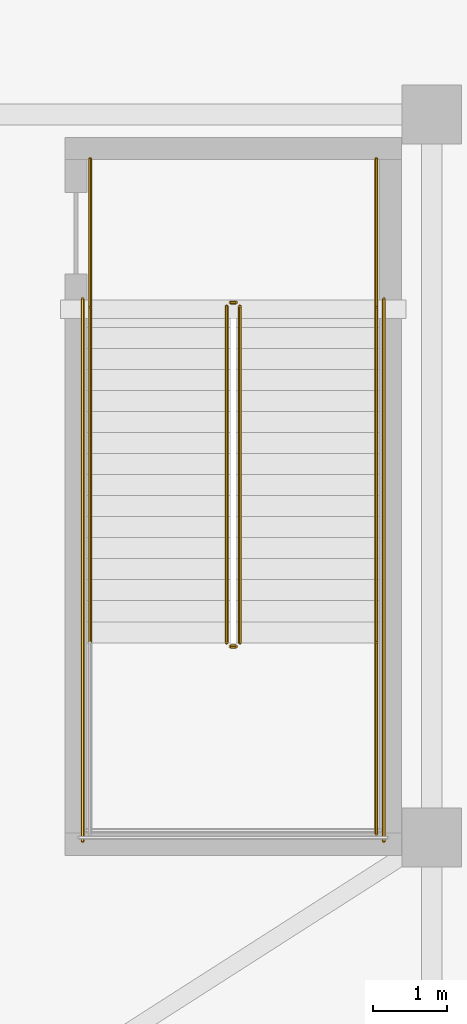
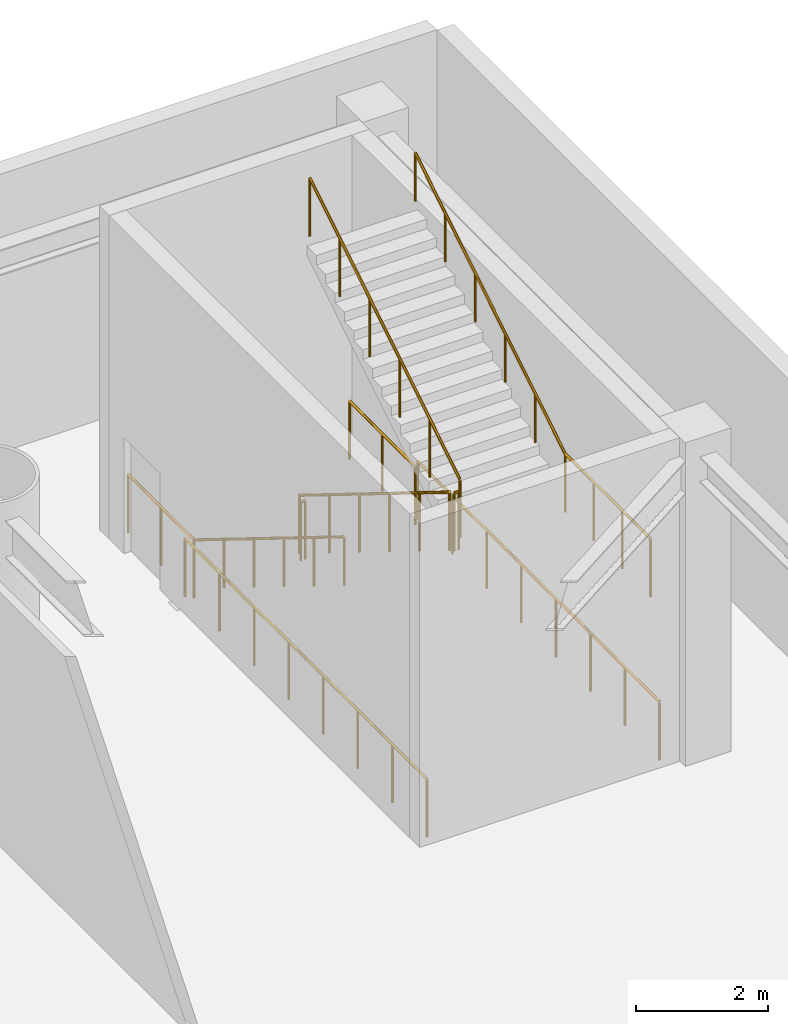
# One storey, part 17 of 17: 11 railings.
"""IFC4 building model written with IfcOpenShell, lengths in metres."""

from ifc_helpers import new_model, si_unit, direction, frame, origin, origin_2d, place, context, subcontext, project, spatial, circle, extrude, material, type_object, element, save


model = new_model("IFC4")

# Units and contexts
model_context = context("Model", 3, precision=1e-05, world=origin(), true_north=direction((0.0, 1.0)))
body_context = subcontext(model_context, "Body", "Model", "MODEL_VIEW")
ifc_project = project(units=[si_unit("LENGTHUNIT", "METRE"), si_unit("AREAUNIT", "SQUARE_METRE"), si_unit("VOLUMEUNIT", "CUBIC_METRE"), si_unit("PLANEANGLEUNIT", "RADIAN"), si_unit("MASSUNIT", "GRAM", prefix="KILO")], contexts=[model_context])

# Site, building, storey
site_placement = place(None, origin())
site = spatial("IfcSite", under=ifc_project, at=site_placement, CompositionType="ELEMENT")
building_placement = place(site_placement, origin())
building = spatial("IfcBuilding", under=site, at=building_placement, Name="Bramvorn Convention Spire", CompositionType="ELEMENT")
storey_placement = place(building_placement, frame((0.0, 0.0, 24.0)))
storey = spatial("IfcBuildingStorey", under=building, at=storey_placement, Name="L04", CompositionType="ELEMENT", Elevation=24.0)

# Railings
ifc_material_1 = material(Name="Painted Steel Balustrade & Guardrail", Category="steel")
railing_type_1 = type_object("IfcRailingType", Name="RL-STAIR-GUARD-1100", PredefinedType="GUARDRAIL", material=ifc_material_1)
railing_1_placement = place(storey_placement, frame((70.419921875, 46.800048828125, 0.176513671875)))
element("IfcRailing", 1, at=railing_1_placement, inside=storey, type_object=railing_type_1, Name="L04 ST5 stair guard 1", PredefinedType="GUARDRAIL", context=body_context, shape_type="SweptSolid", body=[
    extrude(circle(Radius=0.02392578125, at=origin_2d()), frame((0.0, 0.0, 1.076171875), z_axis=(0.0, -0.850215668316, 0.526434532824), x_axis=(1.0, 0.0, 0.0)), (0.0, 0.0, 1.0), 5.363525390625),
    extrude(circle(Radius=0.02099609375, at=origin_2d()), origin(), (0.0, 0.0, 1.0), 1.052001953125),
    extrude(circle(Radius=0.02099609375, at=origin_2d()), frame((0.0, -0.912109375, 0.564697265625)), (0.0, 0.0, 1.0), 1.052001953125),
    extrude(circle(Radius=0.02099609375, at=origin_2d()), frame((0.0, -1.823974609375, 1.12939453125)), (0.0, 0.0, 1.0), 1.052001953125),
    extrude(circle(Radius=0.02099609375, at=origin_2d()), frame((0.0, -2.736083984375, 1.694091796875)), (0.0, 0.0, 1.0), 1.052001953125),
    extrude(circle(Radius=0.02099609375, at=origin_2d()), frame((0.0, -3.64794921875, 2.2587890625)), (0.0, 0.0, 1.0), 1.052001953125),
    extrude(circle(Radius=0.02099609375, at=origin_2d()), frame((0.0, -4.56005859375, 2.823486328125)), (0.0, 0.0, 1.0), 1.052001953125),
])
railing_2_placement = place(storey_placement, frame((70.469970703125, 42.18994140625, 3.0)))
element("IfcRailing", 2, at=railing_2_placement, inside=storey, type_object=railing_type_1, Name="L04 ST5 stair guard 2", PredefinedType="GUARDRAIL", context=body_context, shape_type="SweptSolid", body=[
    extrude(circle(Radius=0.02392578125, at=origin_2d()), frame((0.0, 0.0, 1.076171875), z_axis=(1.0, 0.0, 0.0), x_axis=(0.0, 1.0, 0.0)), (0.0, 0.0, 1.0), 0.080078125),
    extrude(circle(Radius=0.02099609375, at=origin_2d()), origin(), (0.0, 0.0, 1.0), 1.052001953125),
    extrude(circle(Radius=0.02099609375, at=origin_2d()), frame((0.080078125, 0.0, 0.0)), (0.0, 0.0, 1.0), 1.052001953125),
])
railing_3_placement = place(storey_placement, frame((72.449951171875, 42.239990234375, 3.0)))
element("IfcRailing", 3, at=railing_3_placement, inside=storey, type_object=railing_type_1, Name="L04 ST5 stair guard 4", PredefinedType="GUARDRAIL", context=body_context, shape_type="SweptSolid", body=[
    extrude(circle(Radius=0.02392578125, at=origin_2d()), frame((0.0, 0.0, 1.076171875), z_axis=(0.0, -1.0, 0.0), x_axis=(1.0, 0.0, 0.0)), (0.0, 0.0, 1.0), 2.590087890625),
    extrude(circle(Radius=0.02099609375, at=origin_2d()), origin(), (0.0, 0.0, 1.0), 1.052001953125),
    extrude(circle(Radius=0.02099609375, at=origin_2d()), frame((0.0, -0.86328125, 0.0)), (0.0, 0.0, 1.0), 1.052001953125),
    extrude(circle(Radius=0.02099609375, at=origin_2d()), frame((0.0, -1.726806640625, 0.0)), (0.0, 0.0, 1.0), 1.052001953125),
    extrude(circle(Radius=0.02099609375, at=origin_2d()), frame((0.0, -2.590087890625, 0.0)), (0.0, 0.0, 1.0), 1.052001953125),
])
railing_4_placement = place(storey_placement, frame((70.60009765625, 42.239990234375, 3.176513671875)))
element("IfcRailing", 4, at=railing_4_placement, inside=storey, type_object=railing_type_1, Name="L04 ST5 stair guard 6", PredefinedType="GUARDRAIL", context=body_context, shape_type="SweptSolid", body=[
    extrude(circle(Radius=0.02392578125, at=origin_2d()), frame((0.0, 0.0, 1.076171875), z_axis=(0.0, 0.850215668316, 0.526434532824), x_axis=(-1.0, 0.0, 0.0)), (0.0, 0.0, 1.0), 5.363525390625),
    extrude(circle(Radius=0.02099609375, at=origin_2d()), origin(), (0.0, 0.0, 1.0), 1.052001953125),
    extrude(circle(Radius=0.02099609375, at=origin_2d()), frame((0.0, 0.912109375, 0.564697265625)), (0.0, 0.0, 1.0), 1.052001953125),
    extrude(circle(Radius=0.02099609375, at=origin_2d()), frame((0.0, 1.823974609375, 1.12939453125)), (0.0, 0.0, 1.0), 1.052001953125),
    extrude(circle(Radius=0.02099609375, at=origin_2d()), frame((0.0, 2.736083984375, 1.694091796875)), (0.0, 0.0, 1.0), 1.052001953125),
    extrude(circle(Radius=0.02099609375, at=origin_2d()), frame((0.0, 3.64794921875, 2.2587890625)), (0.0, 0.0, 1.0), 1.052001953125),
    extrude(circle(Radius=0.02099609375, at=origin_2d()), frame((0.0, 4.56005859375, 2.823486328125)), (0.0, 0.0, 1.0), 1.052001953125),
])
railing_5_placement = place(storey_placement, frame((70.469970703125, 46.85009765625, 0.0)))
element("IfcRailing", 5, at=railing_5_placement, inside=storey, type_object=railing_type_1, Name="L04 ST5 stair guard 7", PredefinedType="GUARDRAIL", context=body_context, shape_type="SweptSolid", body=[
    extrude(circle(Radius=0.02392578125, at=origin_2d()), frame((0.0, 0.0, 1.076171875), z_axis=(1.0, 0.0, 0.0), x_axis=(0.0, 1.0, 0.0)), (0.0, 0.0, 1.0), 0.080078125),
    extrude(circle(Radius=0.02099609375, at=origin_2d()), origin(), (0.0, 0.0, 1.0), 1.052001953125),
    extrude(circle(Radius=0.02099609375, at=origin_2d()), frame((0.080078125, 0.0, 0.0)), (0.0, 0.0, 1.0), 1.052001953125),
])
for number, where, name in (
    (6, (68.570068359375, 48.800048828125, 0.0), "L04 ST5 stair guard 8"),
    (7, (72.449951171875, 48.800048828125, 0.0), "L04 ST5 stair guard 9"),
):
    element("IfcRailing", number, at=place(storey_placement, frame(where)), inside=storey, type_object=railing_type_1, Name=name, PredefinedType="GUARDRAIL", context=body_context, shape_type="SweptSolid", body=[
        extrude(circle(Radius=0.02392578125, at=origin_2d()), frame((0.0, 0.0, 1.076171875), z_axis=(0.0, -1.0, 0.0), x_axis=(1.0, 0.0, 0.0)), (0.0, 0.0, 1.0), 2.0),
        extrude(circle(Radius=0.02099609375, at=origin_2d()), origin(), (0.0, 0.0, 1.0), 1.052001953125),
        extrude(circle(Radius=0.02099609375, at=origin_2d()), frame((0.0, -1.0, 0.0)), (0.0, 0.0, 1.0), 1.052001953125),
        extrude(circle(Radius=0.02099609375, at=origin_2d()), frame((0.0, -2.0, 0.0)), (0.0, 0.0, 1.0), 1.052001953125),
    ])
for number, where, name in (
    (8, (68.469970703125, 46.89990234375, 0.0), "L04 ST5 stair guard 10"),
    (9, (72.550048828125, 46.89990234375, 0.0), "L04 ST5 stair guard 11"),
):
    element("IfcRailing", number, at=place(storey_placement, frame(where)), inside=storey, type_object=railing_type_1, Name=name, PredefinedType="GUARDRAIL", context=body_context, shape_type="SweptSolid", body=[
        extrude(circle(Radius=0.02392578125, at=origin_2d()), frame((0.0, 0.0, 1.076171875), z_axis=(0.0, -1.0, 0.0), x_axis=(1.0, 0.0, 0.0)), (0.0, 0.0, 1.0), 7.349853515625),
        extrude(circle(Radius=0.02099609375, at=origin_2d()), origin(), (0.0, 0.0, 1.0), 1.052001953125),
        extrude(circle(Radius=0.02099609375, at=origin_2d()), frame((0.0, -1.050048828125, 0.0)), (0.0, 0.0, 1.0), 1.052001953125),
        extrude(circle(Radius=0.02099609375, at=origin_2d()), frame((0.0, -2.099853515625, 0.0)), (0.0, 0.0, 1.0), 1.052001953125),
        extrude(circle(Radius=0.02099609375, at=origin_2d()), frame((0.0, -3.14990234375, 0.0)), (0.0, 0.0, 1.0), 1.052001953125),
        extrude(circle(Radius=0.02099609375, at=origin_2d()), frame((0.0, -4.199951171875, 0.0)), (0.0, 0.0, 1.0), 1.052001953125),
        extrude(circle(Radius=0.02099609375, at=origin_2d()), frame((0.0, -5.25, 0.0)), (0.0, 0.0, 1.0), 1.052001953125),
        extrude(circle(Radius=0.02099609375, at=origin_2d()), frame((0.0, -6.2998046875, 0.0)), (0.0, 0.0, 1.0), 1.052001953125),
        extrude(circle(Radius=0.02099609375, at=origin_2d()), frame((0.0, -7.349853515625, 0.0)), (0.0, 0.0, 1.0), 1.052001953125),
    ])
ifc_material_2 = material(Name="Brushed Bronze Tubular Handrail", Category="aluminium")
railing_type_2 = type_object("IfcRailingType", Name="RL-STAIR-HR-920", PredefinedType="HANDRAIL", material=ifc_material_2)
railing_6_placement = place(storey_placement, frame((68.570068359375, 46.800048828125, 0.176513671875)))
element("IfcRailing", 10, at=railing_6_placement, inside=storey, type_object=railing_type_2, Name="L04 ST5 stair handrail 1", PredefinedType="HANDRAIL", context=body_context, shape_type="SweptSolid", body=[
    extrude(circle(Radius=0.02392578125, at=origin_2d()), frame((0.0, 0.0, 0.89599609375), z_axis=(0.0, -0.850215668316, 0.526434532824), x_axis=(1.0, 0.0, 0.0)), (0.0, 0.0, 1.0), 5.363525390625),
    extrude(circle(Radius=0.02099609375, at=origin_2d()), origin(), (0.0, 0.0, 1.0), 0.871826171875),
    extrude(circle(Radius=0.02099609375, at=origin_2d()), frame((0.0, -0.912109375, 0.564697265625)), (0.0, 0.0, 1.0), 0.871826171875),
    extrude(circle(Radius=0.02099609375, at=origin_2d()), frame((0.0, -1.823974609375, 1.12939453125)), (0.0, 0.0, 1.0), 0.871826171875),
    extrude(circle(Radius=0.02099609375, at=origin_2d()), frame((0.0, -2.736083984375, 1.694091796875)), (0.0, 0.0, 1.0), 0.871826171875),
    extrude(circle(Radius=0.02099609375, at=origin_2d()), frame((0.0, -3.64794921875, 2.2587890625)), (0.0, 0.0, 1.0), 0.871826171875),
    extrude(circle(Radius=0.02099609375, at=origin_2d()), frame((0.0, -4.56005859375, 2.823486328125)), (0.0, 0.0, 1.0), 0.871826171875),
])
railing_7_placement = place(storey_placement, frame((72.449951171875, 42.239990234375, 3.176513671875)))
element("IfcRailing", 11, at=railing_7_placement, inside=storey, type_object=railing_type_2, Name="L04 ST5 stair handrail 2", PredefinedType="HANDRAIL", context=body_context, shape_type="SweptSolid", body=[
    extrude(circle(Radius=0.02392578125, at=origin_2d()), frame((0.0, 0.0, 0.89599609375), z_axis=(0.0, 0.850215668316, 0.526434532824), x_axis=(-1.0, 0.0, 0.0)), (0.0, 0.0, 1.0), 5.363525390625),
    extrude(circle(Radius=0.02099609375, at=origin_2d()), origin(), (0.0, 0.0, 1.0), 0.871826171875),
    extrude(circle(Radius=0.02099609375, at=origin_2d()), frame((0.0, 0.912109375, 0.564697265625)), (0.0, 0.0, 1.0), 0.871826171875),
    extrude(circle(Radius=0.02099609375, at=origin_2d()), frame((0.0, 1.823974609375, 1.12939453125)), (0.0, 0.0, 1.0), 0.871826171875),
    extrude(circle(Radius=0.02099609375, at=origin_2d()), frame((0.0, 2.736083984375, 1.694091796875)), (0.0, 0.0, 1.0), 0.871826171875),
    extrude(circle(Radius=0.02099609375, at=origin_2d()), frame((0.0, 3.64794921875, 2.2587890625)), (0.0, 0.0, 1.0), 0.871826171875),
    extrude(circle(Radius=0.02099609375, at=origin_2d()), frame((0.0, 4.56005859375, 2.823486328125)), (0.0, 0.0, 1.0), 0.871826171875),
])

save(model, "model.ifc")
